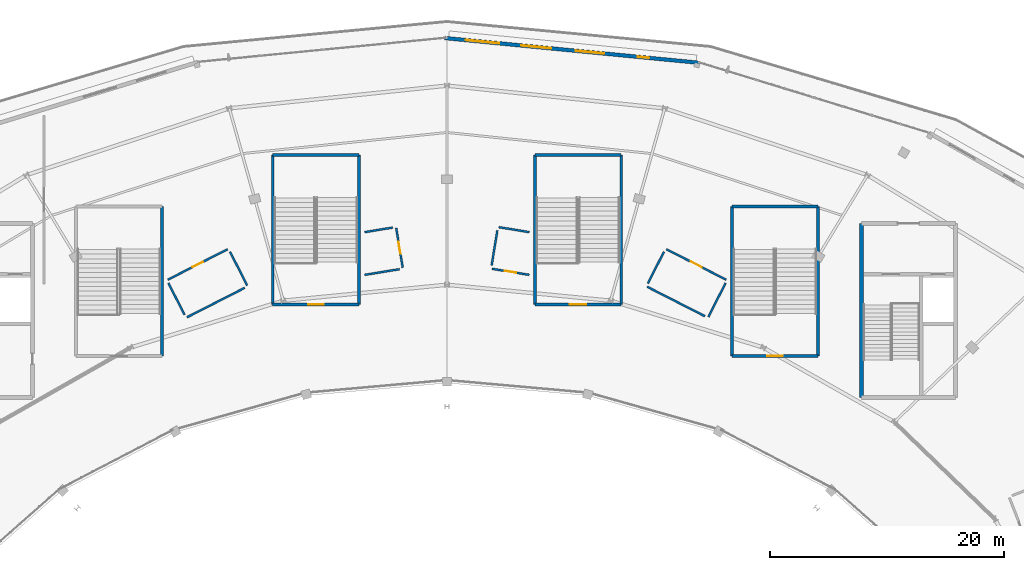
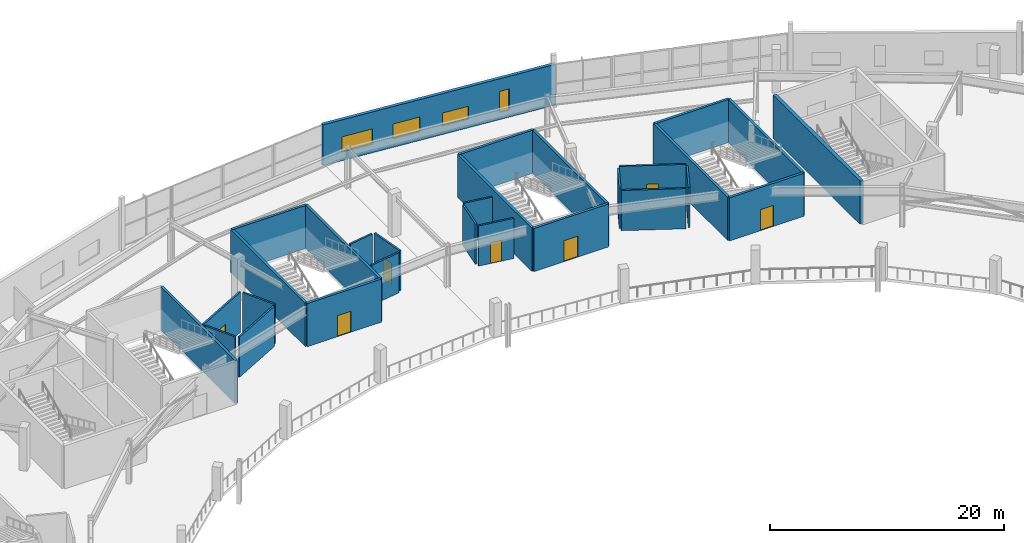
# One storey, part 90 of 123: 29 walls, 7 doors, 4 windows, 11 openings.
"""IFC4 building model written with IfcOpenShell, lengths in metres."""

import ifcopenshell
import ifcopenshell.guid

model = None  # the IFC model being written
_history = None  # IfcOwnerHistory: only IFC2X3 demands one
_inside = {}  # id of a spatial element -> (the spatial element, [elements in it])
_under = {}  # id of a project, library or spatial element -> (it, [spatial elements below it])
_declared = {}  # id of a project -> (the project, [libraries it declares])
_typed = {}  # id of a type object -> (the type object, [elements of that type])
_made_of = {}  # id of a material, layer set ... -> (it, [elements and type objects made of it])


def new_model(schema):
    """Start an empty IFC model of exactly this schema.

    Asked for "IFC4X3", IfcOpenShell would pick the latest addendum, in which some entities
    have other attributes; the version numbers below select the first issue.
    IFC2X3 requires an IfcOwnerHistory on every rooted entity: one is made here for all.
    """
    global model, _history
    if schema == "IFC4X3":
        model = ifcopenshell.file(schema_version=(4, 3, 0, 0))
    else:
        model = ifcopenshell.file(schema=schema)
    _inside.clear()
    _under.clear()
    _declared.clear()
    _typed.clear()
    _made_of.clear()
    _history = None
    if model.schema == "IFC2X3":
        org = make("IfcOrganization", Name="unknown")
        user = make(
            "IfcPersonAndOrganization",
            ThePerson=make("IfcPerson", FamilyName="unknown"),
            TheOrganization=org,
        )
        app = make(
            "IfcApplication",
            ApplicationDeveloper=org,
            Version="unknown",
            ApplicationFullName="unknown",
            ApplicationIdentifier="unknown",
        )
        _history = make(
            "IfcOwnerHistory",
            OwningUser=user,
            OwningApplication=app,
            ChangeAction="ADDED",
            CreationDate=0,
        )
    return model


def make(cls, **values):
    """One entity of the class cls with the attributes given. An attribute that is None is left unset."""
    return model.create_entity(
        cls, **{name: value for name, value in values.items() if value is not None}
    )


def rooted(cls, **values):
    """An entity with a GlobalId (a new one), such as an element, a storey or a relation."""
    return make(cls, GlobalId=ifcopenshell.guid.new(), OwnerHistory=_history, **values)


def si_unit(unit_type, name, prefix=None):
    """IfcSIUnit, for example si_unit("LENGTHUNIT", "METRE", prefix="MILLI")."""
    return make("IfcSIUnit", UnitType=unit_type, Prefix=prefix, Name=name)


def assignment(units):
    """IfcUnitAssignment: the units of a project."""
    return None if units is None else make("IfcUnitAssignment", Units=units)


def point(xyz):
    """IfcCartesianPoint."""
    return None if xyz is None else make("IfcCartesianPoint", Coordinates=xyz)


def direction(xyz):
    """IfcDirection."""
    return None if xyz is None else make("IfcDirection", DirectionRatios=xyz)


def frame(location, z_axis=None, x_axis=None):
    """IfcAxis2Placement3D, a coordinate frame: its origin and axes. An axis left out is left unset."""
    return make(
        "IfcAxis2Placement3D",
        Location=point(location),
        Axis=direction(z_axis),
        RefDirection=direction(x_axis),
    )


def frame_2d(location, x_axis=None):
    """IfcAxis2Placement2D, a coordinate frame in the plane: its origin and x axis."""
    return make(
        "IfcAxis2Placement2D", Location=point(location), RefDirection=direction(x_axis)
    )


def origin():
    """The frame at (0, 0, 0) with its axes left unset."""
    return frame((0.0, 0.0, 0.0))


def place(relative_to, where):
    """IfcLocalPlacement: puts the frame where relative to a parent placement (None: the world)."""
    return make(
        "IfcLocalPlacement", PlacementRelTo=relative_to, RelativePlacement=where
    )


def context(
    kind, dimensions, precision=None, world=None, true_north=None, identifier=None
):
    """IfcGeometricRepresentationContext, for example the 3D "Model" context."""
    return make(
        "IfcGeometricRepresentationContext",
        ContextIdentifier=identifier,
        ContextType=kind,
        CoordinateSpaceDimension=dimensions,
        Precision=precision,
        WorldCoordinateSystem=world,
        TrueNorth=true_north,
    )


def subcontext(parent, identifier, kind, view, scale=None):
    """IfcGeometricRepresentationSubContext, for example "Body" below "Model"."""
    return make(
        "IfcGeometricRepresentationSubContext",
        ContextIdentifier=identifier,
        ContextType=kind,
        ParentContext=parent,
        TargetScale=scale,
        TargetView=view,
    )


def project(units=None, contexts=None):
    """IfcProject with its units and contexts."""
    return rooted(
        "IfcProject",
        Name="project",
        RepresentationContexts=contexts,
        UnitsInContext=assignment(units),
    )


def spatial(cls, under=None, at=None, **own):
    """A site, building, storey or space (cls), placed at a placement, below another one or the project."""
    s = rooted(cls, ObjectPlacement=at, **own)
    if under is not None:
        _under.setdefault(under.id(), (under, []))[1].append(s)
    return s


def profile(cls, at=None, kind="AREA", **sizes):
    """A parametric profile (cls). Its sizes go by their IFC names, for example OverallWidth=200.0."""
    return make(cls, ProfileType=kind, Position=at, **sizes)


def rectangle(**sizes):
    """IfcRectangleProfileDef."""
    return profile("IfcRectangleProfileDef", **sizes)


def extrude(swept, where, along, depth):
    """IfcExtrudedAreaSolid: the profile swept, set in the frame where, extruded along a direction by depth."""
    return make(
        "IfcExtrudedAreaSolid",
        SweptArea=swept,
        Position=where,
        ExtrudedDirection=direction(along),
        Depth=depth,
    )


def shape(context_of_items, identifier, shape_type, items):
    """IfcShapeRepresentation: the items that make up one representation, for example the "Body"."""
    return make(
        "IfcShapeRepresentation",
        ContextOfItems=context_of_items,
        RepresentationIdentifier=identifier,
        RepresentationType=shape_type,
        Items=items,
    )


def material(Name=None, Category=None):
    """IfcMaterial."""
    return make("IfcMaterial", Name=Name, Category=Category)


def layer(
    of_material, thickness, ventilated=None, Name=None, Category=None, Priority=None
):
    """IfcMaterialLayer: one layer of a wall or slab, of a material (None: an air gap)."""
    return make(
        "IfcMaterialLayer",
        Material=of_material,
        LayerThickness=thickness,
        IsVentilated=ventilated,
        Name=Name,
        Category=Category,
        Priority=Priority,
    )


def layer_set(layers, Name=None):
    """IfcMaterialLayerSet."""
    return make("IfcMaterialLayerSet", MaterialLayers=layers, LayerSetName=Name)


def made_of(thing, what):
    """Note that an element or type object is made of a material, layer set ...; save() writes the relation."""
    if what is not None:
        _made_of.setdefault(what.id(), (what, []))[1].append(thing)
    return thing


def type_object(cls, material=None, **own):
    """A type object (cls), such as IfcWallType, which elements share."""
    return made_of(rooted(cls, **own), material)


def element(
    cls,
    number,
    at=None,
    inside=None,
    cuts=None,
    type_object=None,
    material=None,
    context=None,
    identifier="Body",
    shape_type=None,
    held_by="IfcProductDefinitionShape",
    body=None,
    shapes=None,
    **own,
):
    """One element of the class cls, such as IfcWall. Its Tag is "e" and its number.

    at: its placement. inside: the storey or other place that contains it. cuts: it is an
    opening in that element (IfcRelVoidsElement). A single representation is given by context,
    identifier, shape_type and body (its items); several are given by shapes. held_by: the class
    of the entity that holds the representations. save() writes the other relations.
    """
    e = rooted(cls, Tag="e%d" % number, ObjectPlacement=at, **own)
    if body is not None:
        shapes = [shape(context, identifier, shape_type, body)]
    if shapes is not None:
        e.Representation = make(held_by, Representations=shapes)
    if inside is not None:
        _inside.setdefault(inside.id(), (inside, []))[1].append(e)
    if cuts is not None:
        rooted(
            "IfcRelVoidsElement", RelatingBuildingElement=cuts, RelatedOpeningElement=e
        )
    if type_object is not None:
        _typed.setdefault(type_object.id(), (type_object, []))[1].append(e)
    return made_of(e, material)


def fill(opening, filler):
    """IfcRelFillsElement: the door or window that sits in an opening."""
    return rooted(
        "IfcRelFillsElement",
        RelatingOpeningElement=opening,
        RelatedBuildingElement=filler,
    )


def aggregate(whole, parts):
    """IfcRelAggregates: a whole, such as a stair, and the parts it consists of."""
    return rooted("IfcRelAggregates", RelatingObject=whole, RelatedObjects=parts)


def save(model, path):
    """Write the relations noted so far, then the file.

    IfcRelAggregates (storeys below a building ...), IfcRelContainedInSpatialStructure (elements
    in a storey), IfcRelDefinesByType, IfcRelAssociatesMaterial and IfcRelDeclares: one each for
    every whole, place, type object, material and project.
    """
    for whole, parts in _under.values():
        aggregate(whole, parts)
    for where, things in _inside.values():
        rooted(
            "IfcRelContainedInSpatialStructure",
            RelatedElements=things,
            RelatingStructure=where,
        )
    for kind, things in _typed.values():
        rooted("IfcRelDefinesByType", RelatedObjects=things, RelatingType=kind)
    for what, things in _made_of.values():
        rooted("IfcRelAssociatesMaterial", RelatedObjects=things, RelatingMaterial=what)
    for by, libraries in _declared.values():
        rooted("IfcRelDeclares", RelatingContext=by, RelatedDefinitions=libraries)
    model.write(path)


model = new_model("IFC4")

# Units and contexts
model_context = context("Model", 3, precision=1e-05, world=origin(), true_north=direction((0.0, 1.0)))
body_context = subcontext(model_context, "Body", "Model", "MODEL_VIEW")
ifc_project = project(units=[si_unit("LENGTHUNIT", "METRE"), si_unit("AREAUNIT", "SQUARE_METRE"), si_unit("VOLUMEUNIT", "CUBIC_METRE"), si_unit("PLANEANGLEUNIT", "RADIAN"), si_unit("MASSUNIT", "GRAM", prefix="KILO")], contexts=[model_context])

# Site, building, storey
site_placement = place(None, origin())
site = spatial("IfcSite", under=ifc_project, at=site_placement, CompositionType="ELEMENT")
building_placement = place(site_placement, origin())
building = spatial("IfcBuilding", under=site, at=building_placement, Name="Kalgoora Escarpment Arena", CompositionType="ELEMENT")
storey_placement = place(building_placement, frame((0.0, 0.0, 9.89990234375)))
storey = spatial("IfcBuildingStorey", under=building, at=storey_placement, Name="L02", CompositionType="ELEMENT", Elevation=9.89990234375)

# Wall
ifc_material_1 = material(Name="Concrete N50 (fc' 50 MPa)", Category="concrete")
ifc_layer_1 = layer(ifc_material_1, 0.35009765625)
ifc_layer_set_1 = layer_set([ifc_layer_1], Name="WAL-CORE-350")
wall_type_1 = type_object("IfcWallType", Name="WAL-CORE-350", PredefinedType="SHEAR", material=ifc_layer_set_1)
wall_1_placement = place(storey_placement, frame((127.77490234375, 94.375, 0.0), z_axis=(0.0, 0.0, 1.0), x_axis=(0.0, 1.0, 0.0)))
element("IfcWall", 1, at=wall_1_placement, inside=storey, type_object=wall_type_1, Name="Core C4 L02 west shear wall", PredefinedType="SHEAR", context=body_context, shape_type="SweptSolid", body=[
    extrude(rectangle(XDim=14.85009765625, YDim=0.35009765625, at=frame_2d((7.425048828125, 0.0))), origin(), (0.0, 0.0, 1.0), 4.5),
])

# Wall, openings, windows
ifc_material_2 = material(Name="Insulated limestone cladding precast wall 40 MPa", Category="masonry")
ifc_layer_2 = layer(ifc_material_2, 0.31494140625)
ifc_layer_set_2 = layer_set([ifc_layer_2], Name="WAL-EXT-315")
wall_type_2 = type_object("IfcWallType", Name="WAL-EXT-315", PredefinedType="SOLIDWALL", material=ifc_layer_set_2)
wall_2_placement = place(storey_placement, frame((92.202880859375, 125.060791015625, 0.0), z_axis=(0.0, 0.0, 1.0), x_axis=(0.995299462798, -0.096845130773, 0.0)))
wall_2 = element("IfcWall", 2, at=wall_2_placement, inside=storey, type_object=wall_type_2, Name="L02 limestone-faced external wall 048", PredefinedType="SOLIDWALL", context=body_context, shape_type="SweptSolid", body=[
    extrude(rectangle(XDim=21.89697265625, YDim=0.31494140625, at=frame_2d((10.948486328125, 0.0))), origin(), (0.0, 0.0, 1.0), 4.26513671875),
])
opening_1_placement = place(wall_2_placement, frame((1.824951171875, 0.0, 0.89990234375)))
opening_1 = element("IfcOpeningElement", 3, at=opening_1_placement, cuts=wall_2, Name="Opening W-11", PredefinedType="OPENING", context=body_context, shape_type="SweptSolid", body=[
    extrude(rectangle(XDim=2.85009765625, YDim=1.60009765625, at=frame_2d((1.425048828125, 0.800048828125))), frame((0.0, 0.16748046875, 0.0), z_axis=(0.0, -1.0, 0.0), x_axis=(1.0, 0.0, 0.0)), (0.0, 0.0, 1.0), 0.3349609375),
])
opening_2_placement = place(wall_2_placement, frame((6.574951171875, 0.0, 0.89990234375)))
opening_2 = element("IfcOpeningElement", 4, at=opening_2_placement, cuts=wall_2, Name="Opening W-13", PredefinedType="OPENING", context=body_context, shape_type="SweptSolid", body=[
    extrude(rectangle(XDim=2.550048828125, YDim=1.550048828125, at=frame_2d((1.27490234375, 0.77490234375))), frame((0.0, 0.16748046875, 0.0), z_axis=(0.0, -1.0, 0.0), x_axis=(1.0, 0.0, 0.0)), (0.0, 0.0, 1.0), 0.3349609375),
])
opening_3_placement = place(wall_2_placement, frame((11.22509765625, 0.0, 0.89990234375)))
opening_3 = element("IfcOpeningElement", 5, at=opening_3_placement, cuts=wall_2, Name="Opening W-15", PredefinedType="OPENING", context=body_context, shape_type="SweptSolid", body=[
    extrude(rectangle(XDim=2.449951171875, YDim=1.35009765625, at=frame_2d((1.22509765625, 0.675048828125))), frame((0.0, 0.16748046875, 0.0), z_axis=(0.0, -1.0, 0.0), x_axis=(1.0, 0.0, 0.0)), (0.0, 0.0, 1.0), 0.3349609375),
])
opening_4_placement = place(wall_2_placement, frame((16.574951171875, 0.0, 0.75)))
opening_4 = element("IfcOpeningElement", 6, at=opening_4_placement, cuts=wall_2, Name="Opening W-17", PredefinedType="OPENING", context=body_context, shape_type="SweptSolid", body=[
    extrude(rectangle(XDim=0.949951171875, YDim=2.199951171875, at=frame_2d((0.47509765625, 1.10009765625))), frame((0.0, 0.16748046875, 0.0), z_axis=(0.0, -1.0, 0.0), x_axis=(1.0, 0.0, 0.0)), (0.0, 0.0, 1.0), 0.3349609375),
])
ifc_material_3 = material(Name="Low-E solar-control double glazing in champagne frame", Category="glass")
window_type_1 = type_object("IfcWindowType", Name="WIN-BAND-2550x1550", PartitioningType="SINGLE_PANEL", PredefinedType="WINDOW", material=ifc_material_3)
window_1_placement = place(opening_2_placement, origin())
window_1 = element("IfcWindow", 7, at=window_1_placement, inside=storey, type_object=window_type_1, Name="L02 scheduled facade window 052", OverallHeight=1.550048828125, OverallWidth=2.550048828125, PartitioningType="SINGLE_PANEL", PredefinedType="WINDOW", context=body_context, shape_type="SweptSolid", body=[
    extrude(rectangle(XDim=2.550048828125, YDim=1.550048828125, at=frame_2d((1.27490234375, 0.77490234375))), frame((0.0, 0.030029296875, 0.0), z_axis=(0.0, -1.0, 0.0), x_axis=(1.0, 0.0, 0.0)), (0.0, 0.0, 1.0), 0.06005859375),
])
fill(opening_2, window_1)
ifc_material_4 = material(Name="Low-E solar-control double glazing in champagne frame", Category="glass")
window_type_2 = type_object("IfcWindowType", Name="WIN-BAND-2850x1600", PartitioningType="SINGLE_PANEL", PredefinedType="WINDOW", material=ifc_material_4)
window_2_placement = place(opening_1_placement, origin())
window_2 = element("IfcWindow", 8, at=window_2_placement, inside=storey, type_object=window_type_2, Name="L02 scheduled facade window 051", OverallHeight=1.60009765625, OverallWidth=2.85009765625, PartitioningType="SINGLE_PANEL", PredefinedType="WINDOW", context=body_context, shape_type="SweptSolid", body=[
    extrude(rectangle(XDim=2.85009765625, YDim=1.60009765625, at=frame_2d((1.425048828125, 0.800048828125))), frame((0.0, 0.030029296875, 0.0), z_axis=(0.0, -1.0, 0.0), x_axis=(1.0, 0.0, 0.0)), (0.0, 0.0, 1.0), 0.06005859375),
])
fill(opening_1, window_2)
ifc_material_5 = material(Name="Low-E solar-control double glazing in champagne frame", Category="glass")
window_type_3 = type_object("IfcWindowType", Name="WIN-CLER-2450x1350", PartitioningType="SINGLE_PANEL", PredefinedType="WINDOW", material=ifc_material_5)
window_3_placement = place(opening_3_placement, origin())
window_3 = element("IfcWindow", 9, at=window_3_placement, inside=storey, type_object=window_type_3, Name="L02 scheduled facade window 053", OverallHeight=1.35009765625, OverallWidth=2.449951171875, PartitioningType="SINGLE_PANEL", PredefinedType="WINDOW", context=body_context, shape_type="SweptSolid", body=[
    extrude(rectangle(XDim=2.449951171875, YDim=1.35009765625, at=frame_2d((1.22509765625, 0.675048828125))), frame((0.0, 0.030029296875, 0.0), z_axis=(0.0, -1.0, 0.0), x_axis=(1.0, 0.0, 0.0)), (0.0, 0.0, 1.0), 0.06005859375),
])
fill(opening_3, window_3)
ifc_material_6 = material(Name="Low-E solar-control double glazing in champagne frame", Category="glass")
window_type_4 = type_object("IfcWindowType", Name="WIN-SLOT-0950x2200", PartitioningType="SINGLE_PANEL", PredefinedType="WINDOW", material=ifc_material_6)
window_4_placement = place(opening_4_placement, origin())
window_4 = element("IfcWindow", 10, at=window_4_placement, inside=storey, type_object=window_type_4, Name="L02 scheduled facade window 054", OverallHeight=2.199951171875, OverallWidth=0.949951171875, PartitioningType="SINGLE_PANEL", PredefinedType="WINDOW", context=body_context, shape_type="SweptSolid", body=[
    extrude(rectangle(XDim=0.949951171875, YDim=2.199951171875, at=frame_2d((0.47509765625, 1.10009765625))), frame((0.0, 0.030029296875, 0.0), z_axis=(0.0, -1.0, 0.0), x_axis=(1.0, 0.0, 0.0)), (0.0, 0.0, 1.0), 0.06005859375),
])
fill(opening_4, window_4)

# Wall
ifc_material_7 = material(Name="Concrete N50 (fc' 50 MPa)", Category="concrete")
ifc_layer_3 = layer(ifc_material_7, 0.25)
ifc_layer_set_3 = layer_set([ifc_layer_3], Name="WAL-STAIR-250")
wall_type_3 = type_object("IfcWallType", Name="WAL-STAIR-250", PredefinedType="SHEAR", material=ifc_layer_set_3)
wall_3_placement = place(storey_placement, frame((68.074951171875, 97.925048828125, 0.0), z_axis=(0.0, 0.0, 1.0), x_axis=(0.0, 1.0, 0.0)))
element("IfcWall", 11, at=wall_3_placement, inside=storey, type_object=wall_type_3, Name="Exit stair ST09 L02 east wall", PredefinedType="SHEAR", context=body_context, shape_type="SweptSolid", body=[
    extrude(rectangle(XDim=12.75, YDim=0.25, at=frame_2d((6.375, 0.0))), origin(), (0.0, 0.0, 1.0), 4.5),
])

# Wall, opening, door
wall_4_placement = place(storey_placement, frame((77.52490234375, 102.324951171875, 0.0), z_axis=(0.0, 0.0, 1.0), x_axis=(1.0, 0.0, 0.0)))
wall_4 = element("IfcWall", 12, at=wall_4_placement, inside=storey, type_object=wall_type_3, Name="Exit stair ST10 L02 south wall", PredefinedType="SHEAR", context=body_context, shape_type="SweptSolid", body=[
    extrude(rectangle(XDim=7.35009765625, YDim=0.25, at=frame_2d((3.675048828125, 0.0))), origin(), (0.0, 0.0, 1.0), 4.5),
])
opening_5_placement = place(wall_4_placement, frame((3.014892578125, 0.0, 0.0)))
opening_5 = element("IfcOpeningElement", 13, at=opening_5_placement, cuts=wall_4, Name="Opening FD-ST10", PredefinedType="OPENING", context=body_context, shape_type="SweptSolid", body=[
    extrude(rectangle(XDim=1.320068359375, YDim=2.199951171875, at=frame_2d((0.66015625, 1.10009765625))), frame((0.0, 0.135009765625, 0.0), z_axis=(0.0, -1.0, 0.0), x_axis=(1.0, 0.0, 0.0)), (0.0, 0.0, 1.0), 0.27001953125),
])
ifc_material_8 = material(Name="Fire-rated steel stair leaf with vision panel", Category="steel")
door_type_1 = type_object("IfcDoorType", Name="DR-STAIR-1320", OperationType="NOTDEFINED", PredefinedType="DOOR", material=ifc_material_8)
door_1_placement = place(opening_5_placement, origin())
door_1 = element("IfcDoor", 14, at=door_1_placement, inside=storey, type_object=door_type_1, Name="Fire-isolated stair ST10 L02 egress door", OperationType="SINGLE_SWING_RIGHT", OverallHeight=2.199951171875, OverallWidth=1.320068359375, PredefinedType="DOOR", context=body_context, shape_type="SweptSolid", body=[
    extrude(rectangle(XDim=1.320068359375, YDim=2.199951171875, at=frame_2d((0.66015625, 1.10009765625))), frame((0.0, 0.02490234375, 0.0), z_axis=(0.0, -1.0, 0.0), x_axis=(1.0, 0.0, 0.0)), (0.0, 0.0, 1.0), 0.050048828125),
])
fill(opening_5, door_1)

# Walls
wall_5_placement = place(storey_placement, frame((77.52490234375, 115.074951171875, 0.0), z_axis=(0.0, 0.0, 1.0), x_axis=(1.0, 0.0, 0.0)))
element("IfcWall", 15, at=wall_5_placement, inside=storey, type_object=wall_type_3, Name="Exit stair ST10 L02 north wall", PredefinedType="SHEAR", context=body_context, shape_type="SweptSolid", body=[
    extrude(rectangle(XDim=7.35009765625, YDim=0.25, at=frame_2d((3.675048828125, 0.0))), origin(), (0.0, 0.0, 1.0), 4.5),
])
for number, where, z_axis, x_axis, name in (
    (16, (77.52490234375, 102.324951171875, 0.0), (0.0, 0.0, 1.0), (0.0, 1.0, 0.0), "Exit stair ST10 L02 west wall"),
    (17, (84.875, 102.324951171875, 0.0), (0.0, 0.0, 1.0), (0.0, 1.0, 0.0), "Exit stair ST10 L02 east wall"),
):
    element("IfcWall", number, at=place(storey_placement, frame(where, z_axis=z_axis, x_axis=x_axis)), inside=storey, type_object=wall_type_3, Name=name, PredefinedType="SHEAR", context=body_context, shape_type="SweptSolid", body=[
        extrude(rectangle(XDim=12.75, YDim=0.25, at=frame_2d((6.375, 0.0))), origin(), (0.0, 0.0, 1.0), 4.5),
    ])

# Wall, opening, door
wall_6_placement = place(storey_placement, frame((99.925048828125, 102.324951171875, 0.0), z_axis=(0.0, 0.0, 1.0), x_axis=(1.0, 0.0, 0.0)))
wall_6 = element("IfcWall", 18, at=wall_6_placement, inside=storey, type_object=wall_type_3, Name="Exit stair ST11 L02 south wall", PredefinedType="SHEAR", context=body_context, shape_type="SweptSolid", body=[
    extrude(rectangle(XDim=7.349853515625, YDim=0.25, at=frame_2d((3.6748046875, 0.0))), origin(), (0.0, 0.0, 1.0), 4.5),
])
opening_6_placement = place(wall_6_placement, frame((2.97509765625, 0.0, 0.0)))
opening_6 = element("IfcOpeningElement", 19, at=opening_6_placement, cuts=wall_6, Name="Opening FD-ST11", PredefinedType="OPENING", context=body_context, shape_type="SweptSolid", body=[
    extrude(rectangle(XDim=1.39990234375, YDim=2.199951171875, at=frame_2d((0.699951171875, 1.10009765625))), frame((0.0, 0.135009765625, 0.0), z_axis=(0.0, -1.0, 0.0), x_axis=(1.0, 0.0, 0.0)), (0.0, 0.0, 1.0), 0.27001953125),
])
ifc_material_9 = material(Name="Fire-rated steel stair leaf with vision panel", Category="steel")
door_type_2 = type_object("IfcDoorType", Name="DR-STAIR-1400", OperationType="NOTDEFINED", PredefinedType="DOOR", material=ifc_material_9)
door_2_placement = place(opening_6_placement, origin())
door_2 = element("IfcDoor", 20, at=door_2_placement, inside=storey, type_object=door_type_2, Name="Fire-isolated stair ST11 L02 egress door", OperationType="SINGLE_SWING_LEFT", OverallHeight=2.199951171875, OverallWidth=1.39990234375, PredefinedType="DOOR", context=body_context, shape_type="SweptSolid", body=[
    extrude(rectangle(XDim=1.39990234375, YDim=2.199951171875, at=frame_2d((0.699951171875, 1.10009765625))), frame((0.0, 0.02490234375, 0.0), z_axis=(0.0, -1.0, 0.0), x_axis=(1.0, 0.0, 0.0)), (0.0, 0.0, 1.0), 0.050048828125),
])
fill(opening_6, door_2)

# Walls
wall_7_placement = place(storey_placement, frame((99.925048828125, 115.074951171875, 0.0), z_axis=(0.0, 0.0, 1.0), x_axis=(1.0, 0.0, 0.0)))
element("IfcWall", 21, at=wall_7_placement, inside=storey, type_object=wall_type_3, Name="Exit stair ST11 L02 north wall", PredefinedType="SHEAR", context=body_context, shape_type="SweptSolid", body=[
    extrude(rectangle(XDim=7.349853515625, YDim=0.25, at=frame_2d((3.6748046875, 0.0))), origin(), (0.0, 0.0, 1.0), 4.5),
])
for number, where, z_axis, x_axis, name in (
    (22, (99.925048828125, 102.324951171875, 0.0), (0.0, 0.0, 1.0), (0.0, 1.0, 0.0), "Exit stair ST11 L02 west wall"),
    (23, (107.27490234375, 102.324951171875, 0.0), (0.0, 0.0, 1.0), (0.0, 1.0, 0.0), "Exit stair ST11 L02 east wall"),
):
    element("IfcWall", number, at=place(storey_placement, frame(where, z_axis=z_axis, x_axis=x_axis)), inside=storey, type_object=wall_type_3, Name=name, PredefinedType="SHEAR", context=body_context, shape_type="SweptSolid", body=[
        extrude(rectangle(XDim=12.75, YDim=0.25, at=frame_2d((6.375, 0.0))), origin(), (0.0, 0.0, 1.0), 4.5),
    ])

# Wall, opening, door
wall_8_placement = place(storey_placement, frame((116.72509765625, 97.925048828125, 0.0), z_axis=(0.0, 0.0, 1.0), x_axis=(1.0, 0.0, 0.0)))
wall_8 = element("IfcWall", 24, at=wall_8_placement, inside=storey, type_object=wall_type_3, Name="Exit stair ST12 L02 south wall", PredefinedType="SHEAR", context=body_context, shape_type="SweptSolid", body=[
    extrude(rectangle(XDim=7.349853515625, YDim=0.25, at=frame_2d((3.6748046875, 0.0))), origin(), (0.0, 0.0, 1.0), 4.5),
])
opening_7_placement = place(wall_8_placement, frame((3.014892578125, 0.0, 0.0)))
opening_7 = element("IfcOpeningElement", 25, at=opening_7_placement, cuts=wall_8, Name="Opening FD-ST12", PredefinedType="OPENING", context=body_context, shape_type="SweptSolid", body=[
    extrude(rectangle(XDim=1.320068359375, YDim=2.199951171875, at=frame_2d((0.66015625, 1.10009765625))), frame((0.0, 0.135009765625, 0.0), z_axis=(0.0, -1.0, 0.0), x_axis=(1.0, 0.0, 0.0)), (0.0, 0.0, 1.0), 0.27001953125),
])
door_3_placement = place(opening_7_placement, origin())
door_3 = element("IfcDoor", 26, at=door_3_placement, inside=storey, type_object=door_type_1, Name="Fire-isolated stair ST12 L02 egress door", OperationType="SINGLE_SWING_RIGHT", OverallHeight=2.199951171875, OverallWidth=1.320068359375, PredefinedType="DOOR", context=body_context, shape_type="SweptSolid", body=[
    extrude(rectangle(XDim=1.320068359375, YDim=2.199951171875, at=frame_2d((0.66015625, 1.10009765625))), frame((0.0, 0.02490234375, 0.0), z_axis=(0.0, -1.0, 0.0), x_axis=(1.0, 0.0, 0.0)), (0.0, 0.0, 1.0), 0.050048828125),
])
fill(opening_7, door_3)

# Walls
wall_9_placement = place(storey_placement, frame((116.72509765625, 110.675048828125, 0.0), z_axis=(0.0, 0.0, 1.0), x_axis=(1.0, 0.0, 0.0)))
element("IfcWall", 27, at=wall_9_placement, inside=storey, type_object=wall_type_3, Name="Exit stair ST12 L02 north wall", PredefinedType="SHEAR", context=body_context, shape_type="SweptSolid", body=[
    extrude(rectangle(XDim=7.349853515625, YDim=0.25, at=frame_2d((3.6748046875, 0.0))), origin(), (0.0, 0.0, 1.0), 4.5),
])
for number, where, z_axis, x_axis, name in (
    (28, (116.72509765625, 97.925048828125, 0.0), (0.0, 0.0, 1.0), (0.0, 1.0, 0.0), "Exit stair ST12 L02 west wall"),
    (29, (124.074951171875, 97.925048828125, 0.0), (0.0, 0.0, 1.0), (0.0, 1.0, 0.0), "Exit stair ST12 L02 east wall"),
):
    element("IfcWall", number, at=place(storey_placement, frame(where, z_axis=z_axis, x_axis=x_axis)), inside=storey, type_object=wall_type_3, Name=name, PredefinedType="SHEAR", context=body_context, shape_type="SweptSolid", body=[
        extrude(rectangle(XDim=12.75, YDim=0.25, at=frame_2d((6.375, 0.0))), origin(), (0.0, 0.0, 1.0), 4.5),
    ])

# Wall, opening, door
ifc_material_10 = material(Name="Twin-stud acoustic plasterboard FRL -/60/60", Category="gypsum")
ifc_layer_4 = layer(ifc_material_10, 0.175048828125)
ifc_layer_set_4 = layer_set([ifc_layer_4], Name="WAL-SUITE-175")
wall_type_4 = type_object("IfcWallType", Name="WAL-SUITE-175", PredefinedType="PARTITIONING", material=ifc_layer_set_4)
wall_10_placement = place(storey_placement, frame((111.123779296875, 107.03369140625, 0.0), z_axis=(0.0, 0.0, 1.0), x_axis=(0.890840624342, -0.454315949557, 0.0)))
wall_10 = element("IfcWall", 30, at=wall_10_placement, inside=storey, type_object=wall_type_4, Name="L02 Hospitality Suite HS04 partition wall", PredefinedType="PARTITIONING", context=body_context, shape_type="SweptSolid", body=[
    extrude(rectangle(XDim=5.736083984375, YDim=0.175048828125, at=frame_2d((2.8681640625, 0.0))), origin(), (0.0, 0.0, 1.0), 4.2001953125),
])
opening_8_placement = place(wall_10_placement, frame((2.343017578125, 0.0, 0.0)))
opening_8 = element("IfcOpeningElement", 31, at=opening_8_placement, cuts=wall_10, Name="Opening FD-I080", PredefinedType="OPENING", context=body_context, shape_type="SweptSolid", body=[
    extrude(rectangle(XDim=1.050048828125, YDim=2.25, at=frame_2d((0.52490234375, 1.125))), frame((0.0, 0.097412109375, 0.0), z_axis=(0.0, -1.0, 0.0), x_axis=(1.0, 0.0, 0.0)), (0.0, 0.0, 1.0), 0.195068359375),
])
ifc_material_11 = material(Name="Veneered timber acoustic suite entrance door", Category="wood")
door_type_3 = type_object("IfcDoorType", Name="DR-SUITE-1050", OperationType="NOTDEFINED", PredefinedType="DOOR", material=ifc_material_11)
door_4_placement = place(opening_8_placement, origin())
door_4 = element("IfcDoor", 32, at=door_4_placement, inside=storey, type_object=door_type_3, Name="Hospitality Suite HS04 entrance door", OperationType="SINGLE_SWING_RIGHT", OverallHeight=2.25, OverallWidth=1.050048828125, PredefinedType="DOOR", context=body_context, shape_type="SweptSolid", body=[
    extrude(rectangle(XDim=1.050048828125, YDim=2.25, at=frame_2d((0.52490234375, 1.125))), frame((0.0, 0.02490234375, 0.0), z_axis=(0.0, -1.0, 0.0), x_axis=(1.0, 0.0, 0.0)), (0.0, 0.0, 1.0), 0.050048828125),
])
fill(opening_8, door_4)

# Walls
wall_11_placement = place(storey_placement, frame((116.179931640625, 104.13720703125, 0.0), z_axis=(0.0, 0.0, 1.0), x_axis=(-0.454320096684, -0.890838509354, 0.0)))
element("IfcWall", 33, at=wall_11_placement, inside=storey, type_object=wall_type_4, Name="L02 Hospitality Suite HS04 partition wall", PredefinedType="PARTITIONING", context=body_context, shape_type="SweptSolid", body=[
    extrude(rectangle(XDim=3.236572265625, YDim=0.175048828125, at=frame_2d((1.6181640625, 0.0))), origin(), (0.0, 0.0, 1.0), 4.2001953125),
])
wall_12_placement = place(storey_placement, frame((114.41943359375, 101.311767578125, 0.0), z_axis=(0.0, 0.0, 1.0), x_axis=(-0.890835099449, 0.454326782821, 0.0)))
element("IfcWall", 34, at=wall_12_placement, inside=storey, type_object=wall_type_4, Name="L02 Hospitality Suite HS04 partition wall", PredefinedType="PARTITIONING", context=body_context, shape_type="SweptSolid", body=[
    extrude(rectangle(XDim=5.535400390625, YDim=0.175048828125, at=frame_2d((2.767578125, 0.0))), origin(), (0.0, 0.0, 1.0), 4.2001953125),
])
wall_13_placement = place(storey_placement, frame((109.54638671875, 104.11669921875, 0.0), z_axis=(0.0, 0.0, 1.0), x_axis=(0.454385541569, 0.890805129988, 0.0)))
element("IfcWall", 35, at=wall_13_placement, inside=storey, type_object=wall_type_4, Name="L02 Hospitality Suite HS04 partition wall", PredefinedType="PARTITIONING", context=body_context, shape_type="SweptSolid", body=[
    extrude(rectangle(XDim=3.0302734375, YDim=0.175048828125, at=frame_2d((1.51513671875, 0.0))), origin(), (0.0, 0.0, 1.0), 4.2001953125),
])
wall_14_placement = place(storey_placement, frame((96.8251953125, 108.9150390625, 0.0), z_axis=(0.0, 0.0, 1.0), x_axis=(0.986936789199, -0.161107957985, 0.0)))
element("IfcWall", 36, at=wall_14_placement, inside=storey, type_object=wall_type_4, Name="L02 Hospitality Suite HS05 partition wall", PredefinedType="PARTITIONING", context=body_context, shape_type="SweptSolid", body=[
    extrude(rectangle(XDim=2.63525390625, YDim=0.175048828125, at=frame_2d((1.317626953125, 0.0))), origin(), (0.0, 0.0, 1.0), 4.2001953125),
])

# Wall, opening, door
wall_15_placement = place(storey_placement, frame((99.426025390625, 104.8427734375, 0.0), z_axis=(0.0, 0.0, 1.0), x_axis=(-0.986933126632, 0.161130393026, 0.0)))
wall_15 = element("IfcWall", 37, at=wall_15_placement, inside=storey, type_object=wall_type_4, Name="L02 Hospitality Suite HS05 partition wall", PredefinedType="PARTITIONING", context=body_context, shape_type="SweptSolid", body=[
    extrude(rectangle(XDim=3.22265625, YDim=0.175048828125, at=frame_2d((1.611328125, 0.0))), origin(), (0.0, 0.0, 1.0), 4.2001953125),
])
opening_9_placement = place(wall_15_placement, frame((1.111328125, 0.0, 0.0)))
opening_9 = element("IfcOpeningElement", 38, at=opening_9_placement, cuts=wall_15, Name="Opening FD-I081", PredefinedType="OPENING", context=body_context, shape_type="SweptSolid", body=[
    extrude(rectangle(XDim=1.0, YDim=2.199951171875, at=frame_2d((0.5, 1.10009765625))), frame((0.0, 0.097412109375, 0.0), z_axis=(0.0, -1.0, 0.0), x_axis=(1.0, 0.0, 0.0)), (0.0, 0.0, 1.0), 0.195068359375),
])
ifc_material_12 = material(Name="Veneered timber acoustic suite entrance door", Category="wood")
door_type_4 = type_object("IfcDoorType", Name="DR-SUITE-1000", OperationType="NOTDEFINED", PredefinedType="DOOR", material=ifc_material_12)
door_5_placement = place(opening_9_placement, origin())
door_5 = element("IfcDoor", 39, at=door_5_placement, inside=storey, type_object=door_type_4, Name="Hospitality Suite HS05 entrance door", OperationType="SINGLE_SWING_LEFT", OverallHeight=2.199951171875, OverallWidth=1.0, PredefinedType="DOOR", context=body_context, shape_type="SweptSolid", body=[
    extrude(rectangle(XDim=1.0, YDim=2.199951171875, at=frame_2d((0.5, 1.10009765625))), frame((0.0, 0.02490234375, 0.0), z_axis=(0.0, -1.0, 0.0), x_axis=(1.0, 0.0, 0.0)), (0.0, 0.0, 1.0), 0.050048828125),
])
fill(opening_9, door_5)

# Wall
wall_16_placement = place(storey_placement, frame((96.212158203125, 105.656005859375, 0.0), z_axis=(0.0, 0.0, 1.0), x_axis=(0.161131898902, 0.986932880776, 0.0)))
element("IfcWall", 40, at=wall_16_placement, inside=storey, type_object=wall_type_4, Name="L02 Hospitality Suite HS05 partition wall", PredefinedType="PARTITIONING", context=body_context, shape_type="SweptSolid", body=[
    extrude(rectangle(XDim=3.0302734375, YDim=0.175048828125, at=frame_2d((1.51513671875, 0.0))), origin(), (0.0, 0.0, 1.0), 4.2001953125),
])

# Wall, opening, door
wall_17_placement = place(storey_placement, frame((88.066650390625, 108.848876953125, 0.0), z_axis=(0.0, 0.0, 1.0), x_axis=(0.161117789867, -0.986935184188, 0.0)))
wall_17 = element("IfcWall", 41, at=wall_17_placement, inside=storey, type_object=wall_type_4, Name="L02 Hospitality Suite HS06 partition wall", PredefinedType="PARTITIONING", context=body_context, shape_type="SweptSolid", body=[
    extrude(rectangle(XDim=3.439697265625, YDim=0.175048828125, at=frame_2d((1.7197265625, 0.0))), origin(), (0.0, 0.0, 1.0), 4.190185546875),
])
opening_10_placement = place(wall_17_placement, frame((1.19482421875, 0.0, 0.0)))
opening_10 = element("IfcOpeningElement", 42, at=opening_10_placement, cuts=wall_17, Name="Opening FD-I082", PredefinedType="OPENING", context=body_context, shape_type="SweptSolid", body=[
    extrude(rectangle(XDim=1.050048828125, YDim=2.25, at=frame_2d((0.52490234375, 1.125))), frame((0.0, 0.097412109375, 0.0), z_axis=(0.0, -1.0, 0.0), x_axis=(1.0, 0.0, 0.0)), (0.0, 0.0, 1.0), 0.195068359375),
])
door_6_placement = place(opening_10_placement, origin())
door_6 = element("IfcDoor", 43, at=door_6_placement, inside=storey, type_object=door_type_3, Name="Hospitality Suite HS06 entrance door", OperationType="SINGLE_SWING_RIGHT", OverallHeight=2.25, OverallWidth=1.050048828125, PredefinedType="DOOR", context=body_context, shape_type="SweptSolid", body=[
    extrude(rectangle(XDim=1.050048828125, YDim=2.25, at=frame_2d((0.52490234375, 1.125))), frame((0.0, 0.02490234375, 0.0), z_axis=(0.0, -1.0, 0.0), x_axis=(1.0, 0.0, 0.0)), (0.0, 0.0, 1.0), 0.050048828125),
])
fill(opening_10, door_6)

# Walls
wall_18_placement = place(storey_placement, frame((88.3525390625, 105.3291015625, 0.0), z_axis=(0.0, 0.0, 1.0), x_axis=(-0.98693078035, -0.16114476348, 0.0)))
element("IfcWall", 44, at=wall_18_placement, inside=storey, type_object=wall_type_4, Name="L02 Hospitality Suite HS06 partition wall", PredefinedType="PARTITIONING", context=body_context, shape_type="SweptSolid", body=[
    extrude(rectangle(XDim=3.01806640625, YDim=0.175048828125, at=frame_2d((1.509033203125, 0.0))), origin(), (0.0, 0.0, 1.0), 4.190185546875),
])
wall_19_placement = place(storey_placement, frame((85.3740234375, 108.490478515625, 0.0), z_axis=(0.0, 0.0, 1.0), x_axis=(0.986934184777, 0.161123911693, 0.0)))
element("IfcWall", 45, at=wall_19_placement, inside=storey, type_object=wall_type_4, Name="L02 Hospitality Suite HS06 partition wall", PredefinedType="PARTITIONING", context=body_context, shape_type="SweptSolid", body=[
    extrude(rectangle(XDim=2.430419921875, YDim=0.175048828125, at=frame_2d((1.21533203125, 0.0))), origin(), (0.0, 0.0, 1.0), 4.190185546875),
])

# Wall, opening, door
wall_20_placement = place(storey_placement, frame((68.56640625, 104.427734375, 0.0), z_axis=(0.0, 0.0, 1.0), x_axis=(0.890831838742, 0.454333176297, 0.0)))
wall_20 = element("IfcWall", 46, at=wall_20_placement, inside=storey, type_object=wall_type_4, Name="L02 Hospitality Suite HS07 partition wall", PredefinedType="PARTITIONING", context=body_context, shape_type="SweptSolid", body=[
    extrude(rectangle(XDim=5.73583984375, YDim=0.175048828125, at=frame_2d((2.867919921875, 0.0))), origin(), (0.0, 0.0, 1.0), 4.190185546875),
])
opening_11_placement = place(wall_20_placement, frame((2.367919921875, 0.0, 0.0)))
opening_11 = element("IfcOpeningElement", 47, at=opening_11_placement, cuts=wall_20, Name="Opening FD-I083", PredefinedType="OPENING", context=body_context, shape_type="SweptSolid", body=[
    extrude(rectangle(XDim=1.0, YDim=2.199951171875, at=frame_2d((0.5, 1.10009765625))), frame((0.0, 0.097412109375, 0.0), z_axis=(0.0, -1.0, 0.0), x_axis=(1.0, 0.0, 0.0)), (0.0, 0.0, 1.0), 0.195068359375),
])
door_7_placement = place(opening_11_placement, origin())
door_7 = element("IfcDoor", 48, at=door_7_placement, inside=storey, type_object=door_type_4, Name="Hospitality Suite HS07 entrance door", OperationType="SINGLE_SWING_LEFT", OverallHeight=2.199951171875, OverallWidth=1.0, PredefinedType="DOOR", context=body_context, shape_type="SweptSolid", body=[
    extrude(rectangle(XDim=1.0, YDim=2.199951171875, at=frame_2d((0.5, 1.10009765625))), frame((0.0, 0.02490234375, 0.0), z_axis=(0.0, -1.0, 0.0), x_axis=(1.0, 0.0, 0.0)), (0.0, 0.0, 1.0), 0.050048828125),
])
fill(opening_11, door_7)

# Walls
wall_21_placement = place(storey_placement, frame((73.876708984375, 106.816162109375, 0.0), z_axis=(0.0, 0.0, 1.0), x_axis=(0.454353030946, -0.890821712393, 0.0)))
element("IfcWall", 49, at=wall_21_placement, inside=storey, type_object=wall_type_4, Name="L02 Hospitality Suite HS07 partition wall", PredefinedType="PARTITIONING", context=body_context, shape_type="SweptSolid", body=[
    extrude(rectangle(XDim=3.2353515625, YDim=0.175048828125, at=frame_2d((1.61767578125, 0.0))), origin(), (0.0, 0.0, 1.0), 4.190185546875),
])
wall_22_placement = place(storey_placement, frame((75.129150390625, 103.733642578125, 0.0), z_axis=(0.0, 0.0, 1.0), x_axis=(-0.890825995052, -0.454344634105, 0.0)))
element("IfcWall", 50, at=wall_22_placement, inside=storey, type_object=wall_type_4, Name="L02 Hospitality Suite HS07 partition wall", PredefinedType="PARTITIONING", context=body_context, shape_type="SweptSolid", body=[
    extrude(rectangle(XDim=5.53515625, YDim=0.175048828125, at=frame_2d((2.767578125, 0.0))), origin(), (0.0, 0.0, 1.0), 4.190185546875),
])
wall_23_placement = place(storey_placement, frame((69.99755859375, 101.436279296875, 0.0), z_axis=(0.0, 0.0, 1.0), x_axis=(-0.454317775379, 0.890839693197, 0.0)))
element("IfcWall", 51, at=wall_23_placement, inside=storey, type_object=wall_type_4, Name="L02 Hospitality Suite HS07 partition wall", PredefinedType="PARTITIONING", context=body_context, shape_type="SweptSolid", body=[
    extrude(rectangle(XDim=3.031982421875, YDim=0.175048828125, at=frame_2d((1.51611328125, 0.0))), origin(), (0.0, 0.0, 1.0), 4.190185546875),
])

save(model, "model.ifc")
